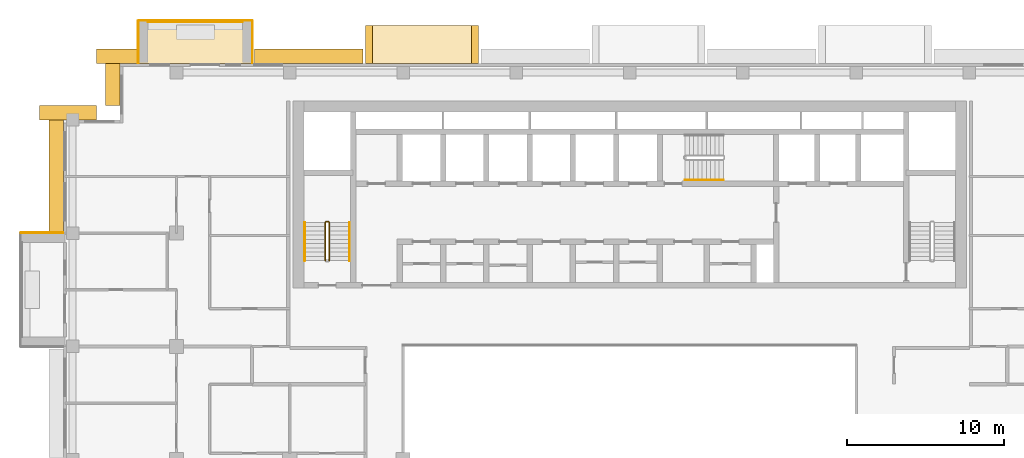
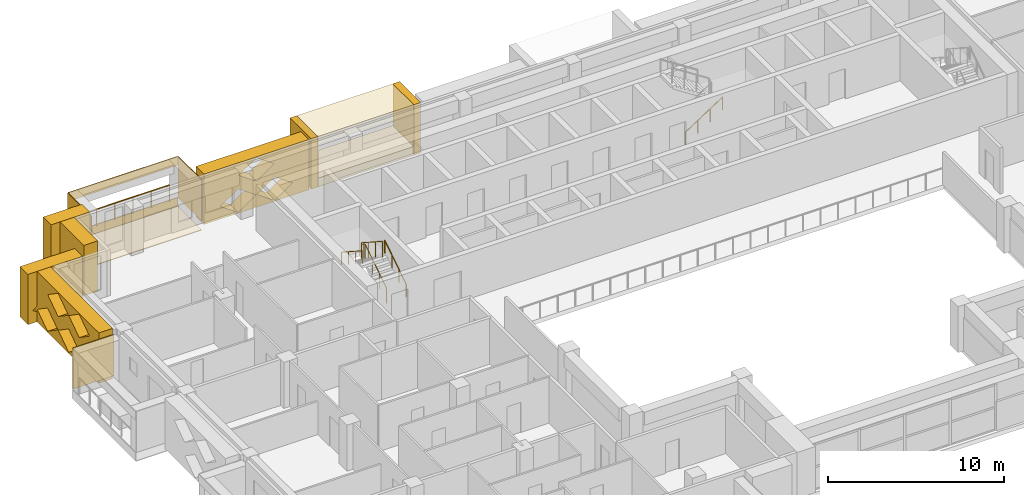
# One storey, part 18 of 20: 15 coverings, 5 railings.
"""IFC4 building model written with IfcOpenShell, lengths in metres."""

from ifc_helpers import new_model, si_unit, direction, frame, origin, origin_2d, place, context, subcontext, project, spatial, polyline, circle, outline, extrude, material, layer, layer_set, type_object, element, save


model = new_model("IFC4")

# Units and contexts
model_context = context("Model", 3, precision=1e-05, world=origin(), true_north=direction((0.0, 1.0)))
body_context = subcontext(model_context, "Body", "Model", "MODEL_VIEW")
ifc_project = project(units=[si_unit("LENGTHUNIT", "METRE"), si_unit("AREAUNIT", "SQUARE_METRE"), si_unit("VOLUMEUNIT", "CUBIC_METRE"), si_unit("PLANEANGLEUNIT", "RADIAN"), si_unit("MASSUNIT", "GRAM", prefix="KILO")], contexts=[model_context])

# Site, building, storey
site_placement = place(None, origin())
site = spatial("IfcSite", under=ifc_project, at=site_placement, CompositionType="ELEMENT")
building_placement = place(site_placement, origin())
building = spatial("IfcBuilding", under=site, at=building_placement, Name="Saffron Iwan Residences", CompositionType="ELEMENT")
storey_placement = place(building_placement, frame((0.0, 0.0, 195.5)))
storey = spatial("IfcBuildingStorey", under=building, at=storey_placement, Name="L52", CompositionType="ELEMENT", Elevation=195.5)

# Railing
ifc_material_1 = material(Name="Stainless steel 316", Category="steel")
railing_type_1 = type_object("IfcRailingType", Name="BALCONY GUARD 1150", PredefinedType="GUARDRAIL", material=ifc_material_1)
railing_1_placement = place(storey_placement, frame((25.800048828125, 83.02490234375, 0.0)))
element("IfcRailing", 1, at=railing_1_placement, inside=storey, type_object=railing_type_1, Name="Balcony guard L52 F5-3", PredefinedType="GUARDRAIL", context=body_context, shape_type="SweptSolid", body=[
    extrude(circle(Radius=0.02392578125, at=origin_2d()), frame((0.0, 0.0, 1.1259765625), z_axis=(-1.0, 0.0, 0.0), x_axis=(0.0, -1.0, 0.0)), (0.0, 0.0, 1.0), 6.0),
    extrude(circle(Radius=0.02099609375, at=origin_2d()), origin(), (0.0, 0.0, 1.0), 1.101806640625),
    extrude(circle(Radius=0.02099609375, at=origin_2d()), frame((-1.199951171875, 0.0, 0.0)), (0.0, 0.0, 1.0), 1.101806640625),
    extrude(circle(Radius=0.02099609375, at=origin_2d()), frame((-2.39990234375, 0.0, 0.0)), (0.0, 0.0, 1.0), 1.101806640625),
    extrude(circle(Radius=0.02099609375, at=origin_2d()), frame((-3.60009765625, 0.0, 0.0)), (0.0, 0.0, 1.0), 1.101806640625),
    extrude(circle(Radius=0.02099609375, at=origin_2d()), frame((-4.800048828125, 0.0, 0.0)), (0.0, 0.0, 1.0), 1.101806640625),
    extrude(circle(Radius=0.02099609375, at=origin_2d()), frame((-6.0, 0.0, 0.0)), (0.0, 0.0, 1.0), 1.101806640625),
])

# Coverings
ifc_material_2 = material(Name="Precast concrete C40/50 white painted", Category="concrete")
ifc_layer = layer(ifc_material_2, 0.050048828125)
ifc_layer_set = layer_set([ifc_layer], Name="Precast concrete C40/50 white painted")
covering_type_1 = type_object("IfcCoveringType", Name="FRAME SKIN PRECAST WHITE 50", PredefinedType="CLADDING", material=ifc_layer_set)
for number, where, name in (
    (2, (0.0, 0.0, -0.60009765625), "Frame skin slab edge L52 F5-3"),
    (3, (0.0, 0.0, 2.25), "Frame skin fascia L52 F5-3"),
):
    element("IfcCovering", number, at=place(storey_placement, frame(where)), inside=storey, type_object=covering_type_1, Name=name, PredefinedType="CLADDING", context=body_context, shape_type="SweptSolid", body=[
        extrude(outline(polyline([(26.39990234375, 83.14990234375), (19.199951171875, 83.14990234375), (19.199951171875, 83.10009765625), (26.39990234375, 83.10009765625), (26.39990234375, 83.14990234375)])), origin(), (0.0, 0.0, 1.0), 0.60009765625),
    ])
covering_1_placement = place(storey_placement, frame((0.0, 0.0, -0.64990234375)))
element("IfcCovering", 4, at=covering_1_placement, inside=storey, type_object=covering_type_1, Name="Frame skin soffit L52 F5-3", PredefinedType="CLADDING", context=body_context, shape_type="SweptSolid", body=[
    extrude(outline(polyline([(26.39990234375, 83.10009765625), (19.199951171875, 83.10009765625), (19.199951171875, 80.39990234375), (26.39990234375, 80.39990234375), (26.39990234375, 83.10009765625)])), origin(), (0.0, 0.0, 1.0), 0.0498046875),
])
covering_2_placement = place(storey_placement, origin())
element("IfcCovering", 5, at=covering_2_placement, inside=storey, type_object=covering_type_1, Name="Frame skin fin L52 F5-3a", PredefinedType="CLADDING", context=body_context, shape_type="SweptSolid", body=[
    extrude(outline(polyline([(26.449951171875, 83.10009765625), (26.39990234375, 83.10009765625), (26.39990234375, 80.39990234375), (26.449951171875, 80.39990234375), (26.449951171875, 83.10009765625)])), origin(), (0.0, 0.0, 1.0), 2.85009765625),
])
covering_3_placement = place(storey_placement, origin())
element("IfcCovering", 6, at=covering_3_placement, inside=storey, type_object=covering_type_1, Name="Frame skin fin L52 F5-3b", PredefinedType="CLADDING", context=body_context, shape_type="SweptSolid", body=[
    extrude(outline(polyline([(19.199951171875, 83.10009765625), (19.14990234375, 83.10009765625), (19.14990234375, 80.39990234375), (19.199951171875, 80.39990234375), (19.199951171875, 83.10009765625)])), origin(), (0.0, 0.0, 1.0), 2.85009765625),
])
covering_4_placement = place(storey_placement, origin())
element("IfcCovering", 7, at=covering_4_placement, inside=storey, type_object=covering_type_1, Name="Frame skin fin L52 F8-0a", PredefinedType="CLADDING", context=body_context, shape_type="SweptSolid", body=[
    extrude(outline(polyline([(11.699951171875, 69.64990234375), (11.699951171875, 69.60009765625), (14.39990234375, 69.60009765625), (14.39990234375, 69.64990234375), (11.699951171875, 69.64990234375)])), origin(), (0.0, 0.0, 1.0), 2.85009765625),
])
ifc_material_3 = material(Name="Precast concrete C40/50", Category="concrete")
covering_type_2 = type_object("IfcCoveringType", Name="OUTER SKIN LATTICE SCREEN", PredefinedType="CLADDING", material=ifc_material_3)
covering_5_placement = place(storey_placement, frame((33.449951171875, 80.39990234375, -0.300048828125), z_axis=(0.0, 1.0, 0.0), x_axis=(-1.0, 0.0, 0.0)))
element("IfcCovering", 8, at=covering_5_placement, inside=storey, type_object=covering_type_2, Name="OUTER SKIN lattice screen L52 F5.3", PredefinedType="CLADDING", context=body_context, shape_type="SweptSolid", body=[
    extrude(outline(polyline([(0.0, 0.0), (6.89990234375, 0.0), (6.89990234375, 3.5), (0.0, 3.5), (0.0, 0.0)]), holes=[polyline([(1.070068359375, 0.875), (2.25, 0.06005859375), (3.429931640625, 0.875), (2.25, 1.68994140625), (1.070068359375, 0.875)]), polyline([(3.469970703125, 0.875), (4.64990234375, 0.06005859375), (5.830078125, 0.875), (4.64990234375, 1.68994140625), (3.469970703125, 0.875)]), polyline([(2.27001953125, 2.625), (3.449951171875, 1.81005859375), (4.6298828125, 2.625), (3.449951171875, 3.43994140625), (2.27001953125, 2.625)])]), origin(), (0.0, 0.0, 1.0), 0.900146484375),
])
covering_6_placement = place(storey_placement, frame((19.050048828125, 80.39990234375, -0.300048828125), z_axis=(0.0, 1.0, 0.0), x_axis=(-1.0, 0.0, 0.0)))
element("IfcCovering", 9, at=covering_6_placement, inside=storey, type_object=covering_type_2, Name="OUTER SKIN lattice screen L52 F5.4", PredefinedType="CLADDING", context=body_context, shape_type="SweptSolid", body=[
    extrude(outline(polyline([(0.0, 0.0), (2.550048828125, 0.0), (2.550048828125, 3.5), (0.0, 3.5), (0.0, 0.0)])), origin(), (0.0, 0.0, 1.0), 0.900146484375),
])
for number, where, z_axis, x_axis, name in (
    (10, (18.0, 81.300048828125, -0.300048828125), (-1.0, 0.0, 0.0), (0.0, -1.0, 0.0), "OUTER SKIN lattice screen L52 F6.0"),
    (11, (16.5, 76.800048828125, -0.300048828125), (0.0, 1.0, 0.0), (-1.0, 0.0, 0.0), "OUTER SKIN lattice screen L52 F7.0"),
):
    element("IfcCovering", number, at=place(storey_placement, frame(where, z_axis=z_axis, x_axis=x_axis)), inside=storey, type_object=covering_type_2, Name=name, PredefinedType="CLADDING", context=body_context, shape_type="SweptSolid", body=[
        extrude(outline(polyline([(0.0, 0.0), (3.60009765625, 0.0), (3.60009765625, 3.5), (0.0, 3.5), (0.0, 0.0)]), holes=[polyline([(0.919921875, 0.875), (2.10009765625, 0.06005859375), (3.280029296875, 0.875), (2.10009765625, 1.68994140625), (0.919921875, 0.875)])]), origin(), (0.0, 0.0, 1.0), 0.89990234375),
    ])
covering_7_placement = place(storey_placement, frame((14.39990234375, 77.699951171875, -0.300048828125), z_axis=(-1.0, 0.0, 0.0), x_axis=(0.0, -1.0, 0.0)))
element("IfcCovering", 12, at=covering_7_placement, inside=storey, type_object=covering_type_2, Name="OUTER SKIN lattice screen L52 F8.0", PredefinedType="CLADDING", context=body_context, shape_type="SweptSolid", body=[
    extrude(outline(polyline([(0.0, 0.0), (7.949951171875, 0.0), (7.949951171875, 3.5), (0.0, 3.5), (0.0, 0.0)]), holes=[polyline([(0.919921875, 0.875), (2.10009765625, 0.06005859375), (3.280029296875, 0.875), (2.10009765625, 1.68994140625), (0.919921875, 0.875)]), polyline([(3.320068359375, 0.875), (4.5, 0.06005859375), (5.679931640625, 0.875), (4.5, 1.68994140625), (3.320068359375, 0.875)]), polyline([(2.1201171875, 2.625), (3.300048828125, 1.81005859375), (4.47998046875, 2.625), (3.300048828125, 3.43994140625), (2.1201171875, 2.625)]), polyline([(4.52001953125, 2.625), (5.699951171875, 1.81005859375), (6.8798828125, 2.625), (5.699951171875, 3.43994140625), (4.52001953125, 2.625)])]), origin(), (0.0, 0.0, 1.0), 0.89990234375),
])

# Railings
ifc_material_4 = material(Name="Steel S355", Category="steel")
railing_type_2 = type_object("IfcRailingType", Name="Stair guard 1100", PredefinedType="GUARDRAIL", material=ifc_material_4)
railing_2_placement = place(storey_placement, frame((31.300048828125, 67.85009765625, 0.175048828125)))
element("IfcRailing", 13, at=railing_2_placement, inside=storey, type_object=railing_type_2, Name="L52 ST-W stair guard 1", PredefinedType="GUARDRAIL", context=body_context, shape_type="SweptSolid", body=[
    extrude(circle(Radius=0.02392578125, at=origin_2d()), frame((0.0, 0.0, 1.076171875), z_axis=(0.0, 0.839153699163, 0.543894354798), x_axis=(-1.0, 0.0, 0.0)), (0.0, 0.0, 1.0), 2.895751953125),
    extrude(circle(Radius=0.02392578125, at=origin_2d()), frame((0.0, 2.429931640625, 2.65087890625), z_axis=(-0.707106781187, 0.707106781187, 0.0), x_axis=(-0.707106781187, -0.707106781187, 0.0)), (0.0, 0.0, 1.0), 0.07080078125),
    extrude(circle(Radius=0.02392578125, at=origin_2d()), frame((-0.050048828125, 2.47998046875, 2.65087890625), z_axis=(-1.0, 0.0, 0.0), x_axis=(0.0, -1.0, 0.0)), (0.0, 0.0, 1.0), 0.14990234375),
    extrude(circle(Radius=0.02392578125, at=origin_2d()), frame((-0.199951171875, 2.47998046875, 2.65087890625), z_axis=(-0.265065253269, -0.265065253269, 0.927081885822), x_axis=(0.707106781187, -0.707106781187, 0.0)), (0.0, 0.0, 1.0), 0.188720703125),
    extrude(circle(Radius=0.02392578125, at=origin_2d()), frame((-0.25, 2.429931640625, 2.826171875), z_axis=(0.0, -0.839153699163, 0.543894354798), x_axis=(1.0, 0.0, 0.0)), (0.0, 0.0, 1.0), 2.895751953125),
    extrude(circle(Radius=0.02099609375, at=origin_2d()), origin(), (0.0, 0.0, 1.0), 1.052001953125),
    extrude(circle(Radius=0.02099609375, at=origin_2d()), frame((0.0, 0.81005859375, 0.52490234375)), (0.0, 0.0, 1.0), 1.052001953125),
    extrude(circle(Radius=0.02099609375, at=origin_2d()), frame((0.0, 1.619873046875, 1.050048828125)), (0.0, 0.0, 1.0), 1.052001953125),
    extrude(circle(Radius=0.02099609375, at=origin_2d()), frame((0.0, 2.429931640625, 1.574951171875)), (0.0, 0.0, 1.0), 1.052001953125),
    extrude(circle(Radius=0.02099609375, at=origin_2d()), frame((-0.050048828125, 2.47998046875, 1.574951171875)), (0.0, 0.0, 1.0), 1.052001953125),
    extrude(circle(Radius=0.02099609375, at=origin_2d()), frame((-0.199951171875, 2.47998046875, 1.574951171875)), (0.0, 0.0, 1.0), 1.052001953125),
    extrude(circle(Radius=0.02099609375, at=origin_2d()), frame((-0.25, 2.429931640625, 1.75)), (0.0, 0.0, 1.0), 1.052001953125),
    extrude(circle(Radius=0.02099609375, at=origin_2d()), frame((-0.25, 1.619873046875, 2.27490234375)), (0.0, 0.0, 1.0), 1.052001953125),
    extrude(circle(Radius=0.02099609375, at=origin_2d()), frame((-0.25, 0.81005859375, 2.800048828125)), (0.0, 0.0, 1.0), 1.052001953125),
    extrude(circle(Radius=0.02099609375, at=origin_2d()), frame((-0.25, 0.0, 3.324951171875)), (0.0, 0.0, 1.0), 1.052001953125),
])
railing_type_3 = type_object("IfcRailingType", Name="Stair handrail 900", PredefinedType="HANDRAIL", material=ifc_material_1)
railing_3_placement = place(storey_placement, frame((32.60009765625, 67.85009765625, 0.175048828125)))
element("IfcRailing", 14, at=railing_3_placement, inside=storey, type_object=railing_type_3, Name="L52 ST-W stair handrail 1", PredefinedType="HANDRAIL", context=body_context, shape_type="SweptSolid", body=[
    extrude(circle(Radius=0.02392578125, at=origin_2d()), frame((0.0, 0.0, 0.8759765625), z_axis=(0.0, 0.839153699163, 0.543894354798), x_axis=(-1.0, 0.0, 0.0)), (0.0, 0.0, 1.0), 2.895751953125),
    extrude(circle(Radius=0.02099609375, at=origin_2d()), origin(), (0.0, 0.0, 1.0), 0.851806640625),
    extrude(circle(Radius=0.02099609375, at=origin_2d()), frame((0.0, 0.81005859375, 0.52490234375)), (0.0, 0.0, 1.0), 0.851806640625),
    extrude(circle(Radius=0.02099609375, at=origin_2d()), frame((0.0, 1.619873046875, 1.050048828125)), (0.0, 0.0, 1.0), 0.851806640625),
    extrude(circle(Radius=0.02099609375, at=origin_2d()), frame((0.0, 2.429931640625, 1.574951171875)), (0.0, 0.0, 1.0), 0.851806640625),
])
railing_4_placement = place(storey_placement, frame((29.75, 70.280029296875, 1.925048828125)))
element("IfcRailing", 15, at=railing_4_placement, inside=storey, type_object=railing_type_3, Name="L52 ST-W stair handrail 2", PredefinedType="HANDRAIL", context=body_context, shape_type="SweptSolid", body=[
    extrude(circle(Radius=0.02392578125, at=origin_2d()), frame((0.0, 0.0, 0.8759765625), z_axis=(0.0, -0.839153699163, 0.543894354798), x_axis=(1.0, 0.0, 0.0)), (0.0, 0.0, 1.0), 2.895751953125),
    extrude(circle(Radius=0.02099609375, at=origin_2d()), origin(), (0.0, 0.0, 1.0), 0.851806640625),
    extrude(circle(Radius=0.02099609375, at=origin_2d()), frame((0.0, -0.81005859375, 0.52490234375)), (0.0, 0.0, 1.0), 0.851806640625),
    extrude(circle(Radius=0.02099609375, at=origin_2d()), frame((0.0, -1.619873046875, 1.050048828125)), (0.0, 0.0, 1.0), 0.851806640625),
    extrude(circle(Radius=0.02099609375, at=origin_2d()), frame((0.0, -2.429931640625, 1.574951171875)), (0.0, 0.0, 1.0), 0.851806640625),
])
railing_5_placement = place(storey_placement, frame((53.925048828125, 72.97509765625, 0.175048828125)))
element("IfcRailing", 16, at=railing_5_placement, inside=storey, type_object=railing_type_3, Name="L52 ST-C stair handrail 1", PredefinedType="HANDRAIL", context=body_context, shape_type="SweptSolid", body=[
    extrude(circle(Radius=0.02392578125, at=origin_2d()), frame((0.0, 0.0, 0.8759765625), z_axis=(0.839153699163, 0.0, 0.543894354798), x_axis=(0.0, 1.0, 0.0)), (0.0, 0.0, 1.0), 2.895751953125),
    extrude(circle(Radius=0.02099609375, at=origin_2d()), origin(), (0.0, 0.0, 1.0), 0.851806640625),
    extrude(circle(Radius=0.02099609375, at=origin_2d()), frame((0.81005859375, 0.0, 0.52490234375)), (0.0, 0.0, 1.0), 0.851806640625),
    extrude(circle(Radius=0.02099609375, at=origin_2d()), frame((1.619873046875, 0.0, 1.050048828125)), (0.0, 0.0, 1.0), 0.851806640625),
    extrude(circle(Radius=0.02099609375, at=origin_2d()), frame((2.429931640625, 0.0, 1.574951171875)), (0.0, 0.0, 1.0), 0.851806640625),
])

# Coverings
covering_type_3 = type_object("IfcCoveringType", Name="WHITE SUN FRAME PRECAST", PredefinedType="CLADDING", material=ifc_material_2)
for number, where, z_axis, x_axis, name in (
    (17, (40.800048828125, 80.39990234375, -0.300048828125), (0.0, 1.0, 0.0), (-1.0, 0.0, 0.0), "Sun frame L52 F5 42.0a"),
    (18, (34.050048828125, 80.39990234375, -0.300048828125), (0.0, 1.0, 0.0), (-1.0, 0.0, 0.0), "Sun frame L52 F5 42.0b"),
):
    element("IfcCovering", number, at=place(storey_placement, frame(where, z_axis=z_axis, x_axis=x_axis)), inside=storey, type_object=covering_type_3, Name=name, PredefinedType="CLADDING", context=body_context, shape_type="SweptSolid", body=[
        extrude(outline(polyline([(0.0, 0.0), (0.449951171875, 0.0), (0.449951171875, 3.5), (0.0, 3.5), (0.0, 0.0)])), origin(), (0.0, 0.0, 1.0), 2.400146484375),
    ])
for number, where, z_axis, x_axis, name in (
    (19, (40.35009765625, 80.39990234375, 2.60009765625), (0.0, 1.0, 0.0), (-1.0, 0.0, 0.0), "Sun frame L52 F5 42.0h"),
    (20, (40.35009765625, 80.39990234375, -0.300048828125), (0.0, 1.0, 0.0), (-1.0, 0.0, 0.0), "Sun frame L52 F5 42.0s"),
):
    element("IfcCovering", number, at=place(storey_placement, frame(where, z_axis=z_axis, x_axis=x_axis)), inside=storey, type_object=covering_type_3, Name=name, PredefinedType="CLADDING", context=body_context, shape_type="SweptSolid", body=[
        extrude(outline(polyline([(0.0, 0.0), (6.300048828125, 0.0), (6.300048828125, 0.60009765625), (0.0, 0.60009765625), (0.0, 0.0)])), origin(), (0.0, 0.0, 1.0), 2.400146484375),
    ])

save(model, "model.ifc")
